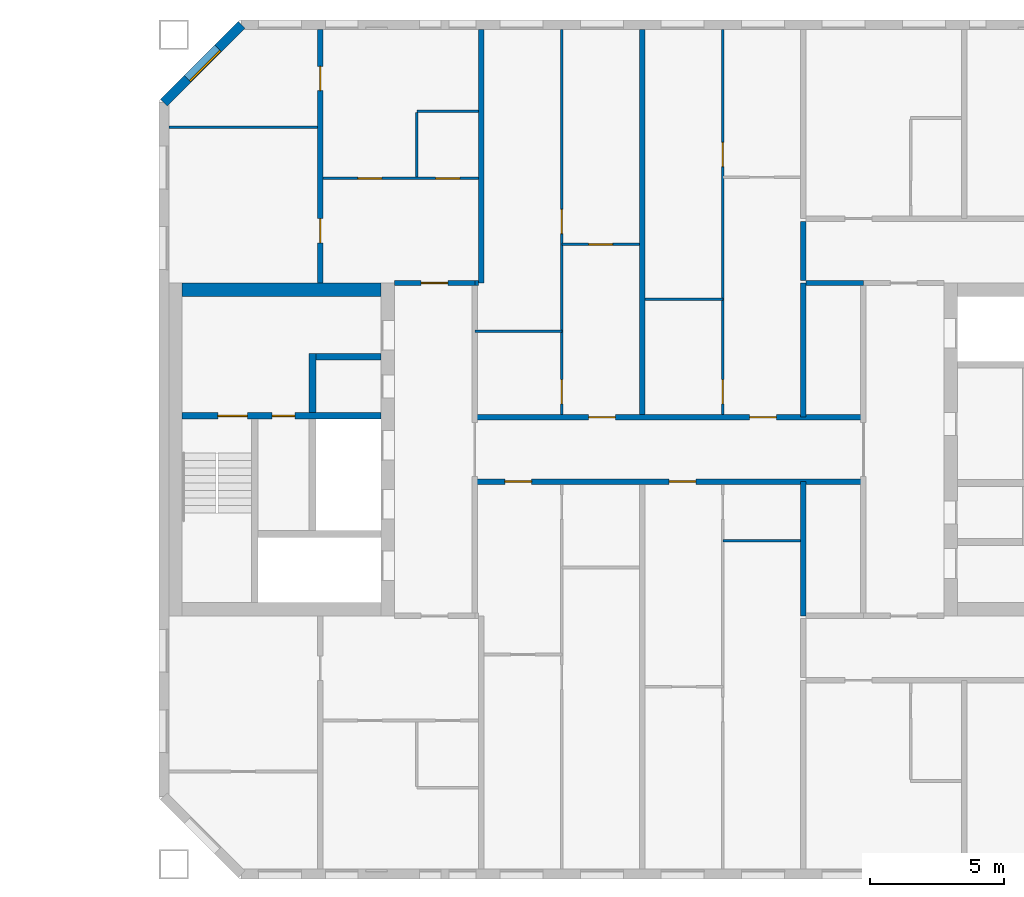
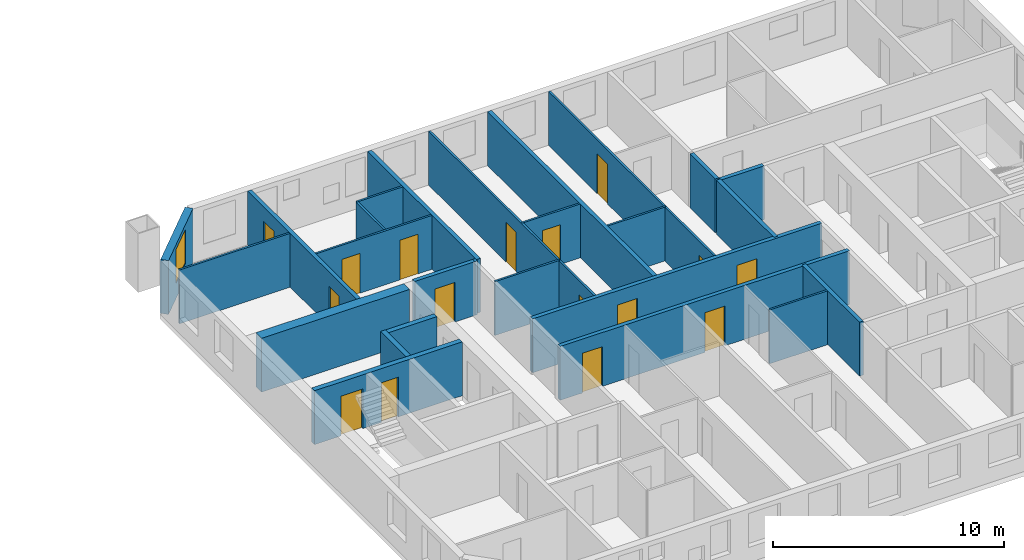
# One storey, part 10 of 15: 26 walls, 16 doors, 1 window, 17 openings.
"""IFC4 building model written with IfcOpenShell, lengths in metres."""

from ifc_helpers import new_model, si_unit, direction, frame, frame_2d, origin, place, context, subcontext, project, spatial, rectangle, extrude, material, layer, layer_set, type_object, element, fill, save


model = new_model("IFC4")

# Units and contexts
model_context = context("Model", 3, precision=1e-05, world=origin(), true_north=direction((0.0, 1.0)))
body_context = subcontext(model_context, "Body", "Model", "MODEL_VIEW")
ifc_project = project(units=[si_unit("LENGTHUNIT", "METRE"), si_unit("AREAUNIT", "SQUARE_METRE"), si_unit("VOLUMEUNIT", "CUBIC_METRE"), si_unit("PLANEANGLEUNIT", "RADIAN"), si_unit("MASSUNIT", "GRAM", prefix="KILO")], contexts=[model_context])

# Site, building, storey
site_placement = place(None, origin())
site = spatial("IfcSite", under=ifc_project, at=site_placement, CompositionType="ELEMENT")
building_placement = place(site_placement, origin())
building = spatial("IfcBuilding", under=site, at=building_placement, Name="Tuart Gate Housing", CompositionType="ELEMENT")
storey_placement = place(building_placement, frame((0.0, 0.0, 154.699951171875)))
storey = spatial("IfcBuildingStorey", under=building, at=storey_placement, Name="L43", CompositionType="ELEMENT", Elevation=154.699951171875)

# Wall, opening, window
ifc_material_1 = material(Name="Brick", Category="masonry")
ifc_layer_1 = layer(ifc_material_1, 0.360107421875)
ifc_layer_set_1 = layer_set([ifc_layer_1], Name="Brick pier and spandrel wall 360")
wall_type_1 = type_object("IfcWallType", Name="Brick pier and spandrel wall 360", PredefinedType="STANDARD", material=ifc_layer_set_1)
wall_1_placement = place(storey_placement, frame((134.07470703125, 85.820068359375, 0.0), z_axis=(0.0, 0.0, 1.0), x_axis=(-0.707106781187, -0.707106781187, 0.0)))
wall_1 = element("IfcWall", 1, at=wall_1_placement, inside=storey, type_object=wall_type_1, Name="External wall B-NW L43", PredefinedType="STANDARD", context=body_context, shape_type="SweptSolid", body=[
    extrude(rectangle(XDim=4.09375, YDim=0.360107421875, at=frame_2d((2.046875, 0.0))), origin(), (0.0, 0.0, 1.0), 2.85009765625),
])
opening_1_placement = place(wall_1_placement, frame((1.2470703125, 0.0, 0.800048828125)))
opening_1 = element("IfcOpeningElement", 2, at=opening_1_placement, cuts=wall_1, Name="Opening W1", PredefinedType="OPENING", context=body_context, shape_type="SweptSolid", body=[
    extrude(rectangle(XDim=1.60009765625, YDim=1.800048828125, at=frame_2d((0.800048828125, 0.89990234375))), frame((0.0, 0.18994140625, 0.0), z_axis=(0.0, -1.0, 0.0), x_axis=(1.0, 0.0, 0.0)), (0.0, 0.0, 1.0), 0.380126953125),
])
ifc_material_2 = material(Name="Aluminium frame with clear glass", Category="aluminium")
window_type = type_object("IfcWindowType", Name="Punched window 1600 x 1800", PartitioningType="SINGLE_PANEL", PredefinedType="WINDOW", material=ifc_material_2)
window_placement = place(opening_1_placement, origin())
window = element("IfcWindow", 3, at=window_placement, inside=storey, type_object=window_type, Name="Window W1", OverallHeight=1.800048828125, OverallWidth=1.60009765625, PartitioningType="SINGLE_PANEL", PredefinedType="WINDOW", context=body_context, shape_type="SweptSolid", body=[
    extrude(rectangle(XDim=1.60009765625, YDim=1.800048828125, at=frame_2d((0.800048828125, 0.89990234375))), frame((0.0, 0.150146484375, 0.0), z_axis=(0.0, -1.0, 0.0), x_axis=(1.0, 0.0, 0.0)), (0.0, 0.0, 1.0), 0.06005859375),
])
fill(opening_1, window)

# Wall, openings, doors
ifc_material_3 = material(Name="Concrete C40", Category="concrete")
ifc_layer_2 = layer(ifc_material_3, 0.25)
ifc_layer_set_2 = layer_set([ifc_layer_2], Name="Core wall 250 C40")
wall_type_2 = type_object("IfcWallType", Name="Core wall 250 C40", PredefinedType="SHEAR", material=ifc_layer_set_2)
wall_2_placement = place(storey_placement, frame((139.260009765625, 71.25, 0.0), z_axis=(0.0, 0.0, 1.0), x_axis=(-1.0, 0.0, 0.0)))
wall_2 = element("IfcWall", 4, at=wall_2_placement, inside=storey, type_object=wall_type_2, Name="Core wall BG.2", PredefinedType="SHEAR", context=body_context, shape_type="SweptSolid", body=[
    extrude(rectangle(XDim=7.39990234375, YDim=0.25, at=frame_2d((3.699951171875, 0.0))), origin(), (0.0, 0.0, 1.0), 2.85009765625),
])
opening_2_placement = place(wall_2_placement, frame((4.97509765625, 0.0, 0.0)))
opening_2 = element("IfcOpeningElement", 5, at=opening_2_placement, cuts=wall_2, Name="Opening D1591", PredefinedType="OPENING", context=body_context, shape_type="SweptSolid", body=[
    extrude(rectangle(XDim=1.10009765625, YDim=2.10009765625, at=frame_2d((0.550048828125, 1.050048828125))), frame((0.0, 0.135009765625, 0.0), z_axis=(0.0, -1.0, 0.0), x_axis=(1.0, 0.0, 0.0)), (0.0, 0.0, 1.0), 0.27001953125),
])
opening_3_placement = place(wall_2_placement, frame((3.199951171875, 0.0, 0.0)))
opening_3 = element("IfcOpeningElement", 6, at=opening_3_placement, cuts=wall_2, Name="Opening D1590", PredefinedType="OPENING", context=body_context, shape_type="SweptSolid", body=[
    extrude(rectangle(XDim=0.85009765625, YDim=2.10009765625, at=frame_2d((0.425048828125, 1.050048828125))), frame((0.0, 0.135009765625, 0.0), z_axis=(0.0, -1.0, 0.0), x_axis=(1.0, 0.0, 0.0)), (0.0, 0.0, 1.0), 0.27001953125),
])
ifc_material_4 = material(Name="Steel fire door", Category="steel")
door_type_1 = type_object("IfcDoorType", Name="Riser door 850 x 2100", OperationType="SINGLE_SWING_LEFT", PredefinedType="DOOR", material=ifc_material_4)
door_1_placement = place(opening_3_placement, origin())
door_1 = element("IfcDoor", 7, at=door_1_placement, inside=storey, type_object=door_type_1, Name="Service room door BG.W1", OperationType="SINGLE_SWING_LEFT", OverallHeight=2.10009765625, OverallWidth=0.85009765625, PredefinedType="DOOR", context=body_context, shape_type="SweptSolid", body=[
    extrude(rectangle(XDim=0.85009765625, YDim=2.10009765625, at=frame_2d((0.425048828125, 1.050048828125))), frame((0.0, 0.02490234375, 0.0), z_axis=(0.0, -1.0, 0.0), x_axis=(1.0, 0.0, 0.0)), (0.0, 0.0, 1.0), 0.050048828125),
])
fill(opening_3, door_1)
ifc_material_5 = material(Name="Steel fire door", Category="steel")
door_type_2 = type_object("IfcDoorType", Name="Stair door 1100 x 2100", OperationType="SINGLE_SWING_LEFT", PredefinedType="DOOR", material=ifc_material_5)
door_2_placement = place(opening_2_placement, origin())
door_2 = element("IfcDoor", 8, at=door_2_placement, inside=storey, type_object=door_type_2, Name="Stair door BG.SD", OperationType="SINGLE_SWING_LEFT", OverallHeight=2.10009765625, OverallWidth=1.10009765625, PredefinedType="DOOR", context=body_context, shape_type="SweptSolid", body=[
    extrude(rectangle(XDim=1.10009765625, YDim=2.10009765625, at=frame_2d((0.550048828125, 1.050048828125))), frame((0.0, 0.02490234375, 0.0), z_axis=(0.0, -1.0, 0.0), x_axis=(1.0, 0.0, 0.0)), (0.0, 0.0, 1.0), 0.050048828125),
])
fill(opening_2, door_2)

# Walls
wall_3_placement = place(storey_placement, frame((139.260009765625, 73.449951171875, 0.0), z_axis=(0.0, 0.0, 1.0), x_axis=(-1.0, 0.0, 0.0)))
element("IfcWall", 9, at=wall_3_placement, inside=storey, type_object=wall_type_2, Name="Core wall BG.3", PredefinedType="SHEAR", context=body_context, shape_type="SweptSolid", body=[
    extrude(rectangle(XDim=2.425048828125, YDim=0.25, at=frame_2d((1.21240234375, 0.0))), origin(), (0.0, 0.0, 1.0), 2.85009765625),
])
wall_4_placement = place(storey_placement, frame((136.7099609375, 71.375, 0.0), z_axis=(0.0, 0.0, 1.0), x_axis=(0.0, 1.0, 0.0)))
element("IfcWall", 10, at=wall_4_placement, inside=storey, type_object=wall_type_2, Name="Core wall BG.5", PredefinedType="SHEAR", context=body_context, shape_type="SweptSolid", body=[
    extrude(rectangle(XDim=2.199951171875, YDim=0.25, at=frame_2d((1.10009765625, 0.0))), origin(), (0.0, 0.0, 1.0), 2.85009765625),
])
ifc_material_6 = material(Name="Concrete C40", Category="concrete")
ifc_layer_3 = layer(ifc_material_6, 0.5)
ifc_layer_set_3 = layer_set([ifc_layer_3], Name="Core wall 500 C40")
wall_type_3 = type_object("IfcWallType", Name="Core wall 500 C40", PredefinedType="SHEAR", material=ifc_layer_set_3)
wall_5_placement = place(storey_placement, frame((139.260009765625, 75.949951171875, 0.0), z_axis=(0.0, 0.0, 1.0), x_axis=(-1.0, 0.0, 0.0)))
element("IfcWall", 11, at=wall_5_placement, inside=storey, type_object=wall_type_3, Name="Core wall BG north", PredefinedType="SHEAR", context=body_context, shape_type="SweptSolid", body=[
    extrude(rectangle(XDim=7.39990234375, YDim=0.5, at=frame_2d((3.699951171875, 0.0))), origin(), (0.0, 0.0, 1.0), 2.85009765625),
])

# Wall, openings, doors
ifc_material_7 = material(Name="Concrete masonry 15 MPa", Category="masonry")
ifc_layer_4 = layer(ifc_material_7, 0.199951171875)
ifc_layer_set_4 = layer_set([ifc_layer_4], Name="Corridor wall masonry 200")
wall_type_4 = type_object("IfcWallType", Name="Corridor wall masonry 200", PredefinedType="PARTITIONING", material=ifc_layer_set_4)
wall_6_placement = place(storey_placement, frame((142.760009765625, 68.800048828125, 0.0), z_axis=(0.0, 0.0, 1.0), x_axis=(1.0, 0.0, 0.0)))
wall_6 = element("IfcWall", 12, at=wall_6_placement, inside=storey, type_object=wall_type_4, Name="Corridor wall masonry 200", PredefinedType="PARTITIONING", context=body_context, shape_type="SweptSolid", body=[
    extrude(rectangle(XDim=14.47998046875, YDim=0.199951171875, at=frame_2d((7.239990234375, 0.0))), origin(), (0.0, 0.0, 1.0), 2.85009765625),
])
opening_4_placement = place(wall_6_placement, frame((1.1201171875, 0.0, 0.0)))
opening_4 = element("IfcOpeningElement", 13, at=opening_4_placement, cuts=wall_6, Name="Opening D1601", PredefinedType="OPENING", context=body_context, shape_type="SweptSolid", body=[
    extrude(rectangle(XDim=1.0, YDim=2.10009765625, at=frame_2d((0.5, 1.050048828125))), frame((0.0, 0.10986328125, 0.0), z_axis=(0.0, -1.0, 0.0), x_axis=(1.0, 0.0, 0.0)), (0.0, 0.0, 1.0), 0.219970703125),
])
opening_5_placement = place(wall_6_placement, frame((7.239990234375, 0.0, 0.0)))
opening_5 = element("IfcOpeningElement", 14, at=opening_5_placement, cuts=wall_6, Name="Opening D1602", PredefinedType="OPENING", context=body_context, shape_type="SweptSolid", body=[
    extrude(rectangle(XDim=1.0, YDim=2.10009765625, at=frame_2d((0.5, 1.050048828125))), frame((0.0, 0.10986328125, 0.0), z_axis=(0.0, -1.0, 0.0), x_axis=(1.0, 0.0, 0.0)), (0.0, 0.0, 1.0), 0.219970703125),
])
ifc_material_8 = material(Name="Timber door leaf in steel frame", Category="steel")
door_type_3 = type_object("IfcDoorType", Name="Flat entrance door 1000 RH", OperationType="SINGLE_SWING_RIGHT", PredefinedType="DOOR", material=ifc_material_8)
door_3_placement = place(opening_4_placement, frame((1.0, 0.0, 0.0), z_axis=(0.0, 0.0, 1.0), x_axis=(-1.0, 0.0, 0.0)))
door_3 = element("IfcDoor", 15, at=door_3_placement, inside=storey, type_object=door_type_3, Name="Flat entrance door", OperationType="SINGLE_SWING_RIGHT", OverallHeight=2.10009765625, OverallWidth=1.0, PredefinedType="DOOR", context=body_context, shape_type="SweptSolid", body=[
    extrude(rectangle(XDim=1.0, YDim=2.10009765625, at=frame_2d((0.5, 1.050048828125))), frame((0.0, 0.025146484375, 0.0), z_axis=(0.0, -1.0, 0.0), x_axis=(1.0, 0.0, 0.0)), (0.0, 0.0, 1.0), 0.050048828125),
])
fill(opening_4, door_3)
door_4_placement = place(opening_5_placement, frame((1.0, 0.0, 0.0), z_axis=(0.0, 0.0, 1.0), x_axis=(-1.0, 0.0, 0.0)))
door_4 = element("IfcDoor", 16, at=door_4_placement, inside=storey, type_object=door_type_3, Name="Flat entrance door", OperationType="SINGLE_SWING_RIGHT", OverallHeight=2.10009765625, OverallWidth=1.0, PredefinedType="DOOR", context=body_context, shape_type="SweptSolid", body=[
    extrude(rectangle(XDim=1.0, YDim=2.10009765625, at=frame_2d((0.5, 1.050048828125))), frame((0.0, 0.025146484375, 0.0), z_axis=(0.0, -1.0, 0.0), x_axis=(1.0, 0.0, 0.0)), (0.0, 0.0, 1.0), 0.050048828125),
])
fill(opening_5, door_4)

wall_7_placement = place(storey_placement, frame((142.760009765625, 71.199951171875, 0.0), z_axis=(0.0, 0.0, 1.0), x_axis=(1.0, 0.0, 0.0)))
wall_7 = element("IfcWall", 17, at=wall_7_placement, inside=storey, type_object=wall_type_4, Name="Corridor wall masonry 200", PredefinedType="PARTITIONING", context=body_context, shape_type="SweptSolid", body=[
    extrude(rectangle(XDim=14.47998046875, YDim=0.199951171875, at=frame_2d((7.239990234375, 0.0))), origin(), (0.0, 0.0, 1.0), 2.85009765625),
])
opening_6_placement = place(wall_7_placement, frame((4.239990234375, 0.0, 0.0)))
opening_6 = element("IfcOpeningElement", 18, at=opening_6_placement, cuts=wall_7, Name="Opening D1592", PredefinedType="OPENING", context=body_context, shape_type="SweptSolid", body=[
    extrude(rectangle(XDim=1.0, YDim=2.10009765625, at=frame_2d((0.5, 1.050048828125))), frame((0.0, 0.10986328125, 0.0), z_axis=(0.0, -1.0, 0.0), x_axis=(1.0, 0.0, 0.0)), (0.0, 0.0, 1.0), 0.219970703125),
])
opening_7_placement = place(wall_7_placement, frame((10.239990234375, 0.0, 0.0)))
opening_7 = element("IfcOpeningElement", 19, at=opening_7_placement, cuts=wall_7, Name="Opening D1593", PredefinedType="OPENING", context=body_context, shape_type="SweptSolid", body=[
    extrude(rectangle(XDim=1.0, YDim=2.10009765625, at=frame_2d((0.5, 1.050048828125))), frame((0.0, 0.10986328125, 0.0), z_axis=(0.0, -1.0, 0.0), x_axis=(1.0, 0.0, 0.0)), (0.0, 0.0, 1.0), 0.219970703125),
])
ifc_material_9 = material(Name="Timber door leaf in steel frame", Category="steel")
door_type_4 = type_object("IfcDoorType", Name="Flat entrance door 1000", OperationType="SINGLE_SWING_LEFT", PredefinedType="DOOR", material=ifc_material_9)
door_5_placement = place(opening_6_placement, origin())
door_5 = element("IfcDoor", 20, at=door_5_placement, inside=storey, type_object=door_type_4, Name="Flat entrance door", OperationType="SINGLE_SWING_LEFT", OverallHeight=2.10009765625, OverallWidth=1.0, PredefinedType="DOOR", context=body_context, shape_type="SweptSolid", body=[
    extrude(rectangle(XDim=1.0, YDim=2.10009765625, at=frame_2d((0.5, 1.050048828125))), frame((0.0, 0.02490234375, 0.0), z_axis=(0.0, -1.0, 0.0), x_axis=(1.0, 0.0, 0.0)), (0.0, 0.0, 1.0), 0.050048828125),
])
fill(opening_6, door_5)
door_6_placement = place(opening_7_placement, origin())
door_6 = element("IfcDoor", 21, at=door_6_placement, inside=storey, type_object=door_type_4, Name="Flat entrance door", OperationType="SINGLE_SWING_LEFT", OverallHeight=2.10009765625, OverallWidth=1.0, PredefinedType="DOOR", context=body_context, shape_type="SweptSolid", body=[
    extrude(rectangle(XDim=1.0, YDim=2.10009765625, at=frame_2d((0.5, 1.050048828125))), frame((0.0, 0.02490234375, 0.0), z_axis=(0.0, -1.0, 0.0), x_axis=(1.0, 0.0, 0.0)), (0.0, 0.0, 1.0), 0.050048828125),
])
fill(opening_7, door_6)

# Walls
wall_8_placement = place(storey_placement, frame((155.10009765625, 76.199951171875, 0.0), z_axis=(0.0, 0.0, 1.0), x_axis=(1.0, 0.0, 0.0)))
element("IfcWall", 22, at=wall_8_placement, inside=storey, type_object=wall_type_4, Name="Corridor wall masonry 200", PredefinedType="PARTITIONING", context=body_context, shape_type="SweptSolid", body=[
    extrude(rectangle(XDim=2.139892578125, YDim=0.199951171875, at=frame_2d((1.06982421875, 0.0))), origin(), (0.0, 0.0, 1.0), 2.85009765625),
])
wall_9_placement = place(storey_placement, frame((155.0, 76.300048828125, 0.0), z_axis=(0.0, 0.0, 1.0), x_axis=(0.0, 1.0, 0.0)))
element("IfcWall", 23, at=wall_9_placement, inside=storey, type_object=wall_type_4, Name="Corridor wall masonry 200", PredefinedType="PARTITIONING", context=body_context, shape_type="SweptSolid", body=[
    extrude(rectangle(XDim=2.199951171875, YDim=0.199951171875, at=frame_2d((1.10009765625, 0.0))), origin(), (0.0, 0.0, 1.0), 2.85009765625),
])

# Wall, opening, door
ifc_material_10 = material(Name="Concrete masonry 15 MPa", Category="masonry")
ifc_layer_5 = layer(ifc_material_10, 0.199951171875)
ifc_layer_set_5 = layer_set([ifc_layer_5], Name="Enclosure wall masonry 200")
wall_type_5 = type_object("IfcWallType", Name="Enclosure wall masonry 200", PredefinedType="PARTITIONING", material=ifc_layer_set_5)
wall_10_placement = place(storey_placement, frame((139.760009765625, 76.199951171875, 0.0), z_axis=(0.0, 0.0, 1.0), x_axis=(1.0, 0.0, 0.0)))
wall_10 = element("IfcWall", 24, at=wall_10_placement, inside=storey, type_object=wall_type_5, Name="Enclosure wall masonry 200", PredefinedType="PARTITIONING", context=body_context, shape_type="SweptSolid", body=[
    extrude(rectangle(XDim=3.0, YDim=0.199951171875, at=frame_2d((1.5, 0.0))), origin(), (0.0, 0.0, 1.0), 2.85009765625),
])
opening_8_placement = place(wall_10_placement, frame((1.0, 0.0, 0.0)))
opening_8 = element("IfcOpeningElement", 25, at=opening_8_placement, cuts=wall_10, Name="Opening D1588", PredefinedType="OPENING", context=body_context, shape_type="SweptSolid", body=[
    extrude(rectangle(XDim=1.0, YDim=2.10009765625, at=frame_2d((0.5, 1.050048828125))), frame((0.0, 0.10986328125, 0.0), z_axis=(0.0, -1.0, 0.0), x_axis=(1.0, 0.0, 0.0)), (0.0, 0.0, 1.0), 0.219970703125),
])
door_7_placement = place(opening_8_placement, origin())
door_7 = element("IfcDoor", 26, at=door_7_placement, inside=storey, type_object=door_type_3, Name="Flat entrance door", OperationType="SINGLE_SWING_RIGHT", OverallHeight=2.10009765625, OverallWidth=1.0, PredefinedType="DOOR", context=body_context, shape_type="SweptSolid", body=[
    extrude(rectangle(XDim=1.0, YDim=2.10009765625, at=frame_2d((0.5, 1.050048828125))), frame((0.0, 0.02490234375, 0.0), z_axis=(0.0, -1.0, 0.0), x_axis=(1.0, 0.0, 0.0)), (0.0, 0.0, 1.0), 0.050048828125),
])
fill(opening_8, door_7)

# Walls
ifc_material_11 = material(Name="Gypsum board on steel studs", Category="steel")
ifc_layer_6 = layer(ifc_material_11, 0.10009765625)
ifc_layer_set_6 = layer_set([ifc_layer_6], Name="Partition 100")
wall_type_6 = type_object("IfcWallType", Name="Partition 100", PredefinedType="PARTITIONING", material=ifc_layer_set_6)
wall_11_placement = place(storey_placement, frame((152.0, 66.60009765625, 0.0), z_axis=(0.0, 0.0, 1.0), x_axis=(1.0, 0.0, 0.0)))
element("IfcWall", 27, at=wall_11_placement, inside=storey, type_object=wall_type_6, Name="Partition 100", PredefinedType="PARTITIONING", context=body_context, shape_type="SweptSolid", body=[
    extrude(rectangle(XDim=2.89990234375, YDim=0.10009765625, at=frame_2d((1.449951171875, 0.0))), origin(), (0.0, 0.0, 1.0), 2.85009765625),
])
wall_12_placement = place(storey_placement, frame((142.760009765625, 74.39990234375, 0.0), z_axis=(0.0, 0.0, 1.0), x_axis=(1.0, 0.0, 0.0)))
element("IfcWall", 28, at=wall_12_placement, inside=storey, type_object=wall_type_6, Name="Partition 100", PredefinedType="PARTITIONING", context=body_context, shape_type="SweptSolid", body=[
    extrude(rectangle(XDim=3.239990234375, YDim=0.10009765625, at=frame_2d((1.6201171875, 0.0))), origin(), (0.0, 0.0, 1.0), 2.85009765625),
])
wall_13_placement = place(storey_placement, frame((149.10009765625, 75.60009765625, 0.0), z_axis=(0.0, 0.0, 1.0), x_axis=(1.0, 0.0, 0.0)))
element("IfcWall", 29, at=wall_13_placement, inside=storey, type_object=wall_type_6, Name="Partition 100", PredefinedType="PARTITIONING", context=body_context, shape_type="SweptSolid", body=[
    extrude(rectangle(XDim=2.89990234375, YDim=0.10009765625, at=frame_2d((1.449951171875, 0.0))), origin(), (0.0, 0.0, 1.0), 2.85009765625),
])

# Wall, opening, door
wall_14_placement = place(storey_placement, frame((146.0, 77.639892578125, 0.0), z_axis=(0.0, 0.0, 1.0), x_axis=(1.0, 0.0, 0.0)))
wall_14 = element("IfcWall", 30, at=wall_14_placement, inside=storey, type_object=wall_type_6, Name="Partition 100", PredefinedType="PARTITIONING", context=body_context, shape_type="SweptSolid", body=[
    extrude(rectangle(XDim=2.89990234375, YDim=0.10009765625, at=frame_2d((1.449951171875, 0.0))), origin(), (0.0, 0.0, 1.0), 2.85009765625),
])
opening_9_placement = place(wall_14_placement, frame((1.0, 0.0, 0.0)))
opening_9 = element("IfcOpeningElement", 31, at=opening_9_placement, cuts=wall_14, Name="Opening D1587", PredefinedType="OPENING", context=body_context, shape_type="SweptSolid", body=[
    extrude(rectangle(XDim=0.89990234375, YDim=2.10009765625, at=frame_2d((0.449951171875, 1.050048828125))), frame((0.0, 0.06005859375, 0.0), z_axis=(0.0, -1.0, 0.0), x_axis=(1.0, 0.0, 0.0)), (0.0, 0.0, 1.0), 0.1201171875),
])
ifc_material_12 = material(Name="Timber door leaf in steel frame", Category="steel")
door_type_5 = type_object("IfcDoorType", Name="Internal door 900 RH", OperationType="SINGLE_SWING_RIGHT", PredefinedType="DOOR", material=ifc_material_12)
door_8_placement = place(opening_9_placement, frame((0.89990234375, 0.0, 0.0), z_axis=(0.0, 0.0, 1.0), x_axis=(-1.0, 0.0, 0.0)))
door_8 = element("IfcDoor", 32, at=door_8_placement, inside=storey, type_object=door_type_5, Name="Internal door", OperationType="SINGLE_SWING_RIGHT", OverallHeight=2.10009765625, OverallWidth=0.89990234375, PredefinedType="DOOR", context=body_context, shape_type="SweptSolid", body=[
    extrude(rectangle(XDim=0.89990234375, YDim=2.10009765625, at=frame_2d((0.449951171875, 1.050048828125))), frame((0.0, 0.025146484375, 0.0), z_axis=(0.0, -1.0, 0.0), x_axis=(1.0, 0.0, 0.0)), (0.0, 0.0, 1.0), 0.050048828125),
])
fill(opening_9, door_8)

# Wall, openings, doors
wall_15_placement = place(storey_placement, frame((137.10009765625, 80.10009765625, 0.0), z_axis=(0.0, 0.0, 1.0), x_axis=(1.0, 0.0, 0.0)))
wall_15 = element("IfcWall", 33, at=wall_15_placement, inside=storey, type_object=wall_type_6, Name="Partition 100", PredefinedType="PARTITIONING", context=body_context, shape_type="SweptSolid", body=[
    extrude(rectangle(XDim=5.7998046875, YDim=0.10009765625, at=frame_2d((2.89990234375, 0.0))), origin(), (0.0, 0.0, 1.0), 2.85009765625),
])
opening_10_placement = place(wall_15_placement, frame((1.300048828125, 0.0, 0.0)))
opening_10 = element("IfcOpeningElement", 34, at=opening_10_placement, cuts=wall_15, Name="Opening D1580", PredefinedType="OPENING", context=body_context, shape_type="SweptSolid", body=[
    extrude(rectangle(XDim=0.89990234375, YDim=2.10009765625, at=frame_2d((0.449951171875, 1.050048828125))), frame((0.0, 0.06005859375, 0.0), z_axis=(0.0, -1.0, 0.0), x_axis=(1.0, 0.0, 0.0)), (0.0, 0.0, 1.0), 0.1201171875),
])
opening_11_placement = place(wall_15_placement, frame((4.199951171875, 0.0, 0.0)))
opening_11 = element("IfcOpeningElement", 35, at=opening_11_placement, cuts=wall_15, Name="Opening D1579", PredefinedType="OPENING", context=body_context, shape_type="SweptSolid", body=[
    extrude(rectangle(XDim=0.89990234375, YDim=2.10009765625, at=frame_2d((0.449951171875, 1.050048828125))), frame((0.0, 0.06005859375, 0.0), z_axis=(0.0, -1.0, 0.0), x_axis=(1.0, 0.0, 0.0)), (0.0, 0.0, 1.0), 0.1201171875),
])
ifc_material_13 = material(Name="Timber door leaf in steel frame", Category="steel")
door_type_6 = type_object("IfcDoorType", Name="Bathroom door 900", OperationType="SINGLE_SWING_LEFT", PredefinedType="DOOR", material=ifc_material_13)
door_9_placement = place(opening_11_placement, origin())
door_9 = element("IfcDoor", 36, at=door_9_placement, inside=storey, type_object=door_type_6, Name="Bathroom door", OperationType="SINGLE_SWING_LEFT", OverallHeight=2.10009765625, OverallWidth=0.89990234375, PredefinedType="DOOR", context=body_context, shape_type="SweptSolid", body=[
    extrude(rectangle(XDim=0.89990234375, YDim=2.10009765625, at=frame_2d((0.449951171875, 1.050048828125))), frame((0.0, 0.02490234375, 0.0), z_axis=(0.0, -1.0, 0.0), x_axis=(1.0, 0.0, 0.0)), (0.0, 0.0, 1.0), 0.050048828125),
])
fill(opening_11, door_9)
door_10_placement = place(opening_10_placement, frame((0.89990234375, 0.0, 0.0), z_axis=(0.0, 0.0, 1.0), x_axis=(-1.0, 0.0, 0.0)))
door_10 = element("IfcDoor", 37, at=door_10_placement, inside=storey, type_object=door_type_5, Name="Internal door", OperationType="SINGLE_SWING_RIGHT", OverallHeight=2.10009765625, OverallWidth=0.89990234375, PredefinedType="DOOR", context=body_context, shape_type="SweptSolid", body=[
    extrude(rectangle(XDim=0.89990234375, YDim=2.10009765625, at=frame_2d((0.449951171875, 1.050048828125))), frame((0.0, 0.025146484375, 0.0), z_axis=(0.0, -1.0, 0.0), x_axis=(1.0, 0.0, 0.0)), (0.0, 0.0, 1.0), 0.050048828125),
])
fill(opening_10, door_10)

# Walls
wall_16_placement = place(storey_placement, frame((131.360107421875, 82.0, 0.0), z_axis=(0.0, 0.0, 1.0), x_axis=(1.0, 0.0, 0.0)))
element("IfcWall", 38, at=wall_16_placement, inside=storey, type_object=wall_type_6, Name="Partition 100", PredefinedType="PARTITIONING", context=body_context, shape_type="SweptSolid", body=[
    extrude(rectangle(XDim=5.539794921875, YDim=0.10009765625, at=frame_2d((2.77001953125, 0.0))), origin(), (0.0, 0.0, 1.0), 2.85009765625),
])
wall_17_placement = place(storey_placement, frame((140.60009765625, 82.60009765625, 0.0), z_axis=(0.0, 0.0, 1.0), x_axis=(1.0, 0.0, 0.0)))
element("IfcWall", 39, at=wall_17_placement, inside=storey, type_object=wall_type_6, Name="Partition 100", PredefinedType="PARTITIONING", context=body_context, shape_type="SweptSolid", body=[
    extrude(rectangle(XDim=2.2998046875, YDim=0.10009765625, at=frame_2d((1.14990234375, 0.0))), origin(), (0.0, 0.0, 1.0), 2.85009765625),
])
wall_18_placement = place(storey_placement, frame((140.60009765625, 80.14990234375, 0.0), z_axis=(0.0, 0.0, 1.0), x_axis=(0.0, 1.0, 0.0)))
element("IfcWall", 40, at=wall_18_placement, inside=storey, type_object=wall_type_6, Name="Partition 100", PredefinedType="PARTITIONING", context=body_context, shape_type="SweptSolid", body=[
    extrude(rectangle(XDim=2.400146484375, YDim=0.10009765625, at=frame_2d((1.2001953125, 0.0))), origin(), (0.0, 0.0, 1.0), 2.85009765625),
])

# Wall, openings, doors
wall_19_placement = place(storey_placement, frame((146.0, 71.300048828125, 0.0), z_axis=(0.0, 0.0, 1.0), x_axis=(0.0, 1.0, 0.0)))
wall_19 = element("IfcWall", 41, at=wall_19_placement, inside=storey, type_object=wall_type_6, Name="Partition 100", PredefinedType="PARTITIONING", context=body_context, shape_type="SweptSolid", body=[
    extrude(rectangle(XDim=14.33984375, YDim=0.10009765625, at=frame_2d((7.169921875, 0.0))), origin(), (0.0, 0.0, 1.0), 2.85009765625),
])
opening_12_placement = place(wall_19_placement, frame((6.739990234375, 0.0, 0.0)))
opening_12 = element("IfcOpeningElement", 42, at=opening_12_placement, cuts=wall_19, Name="Opening D1584", PredefinedType="OPENING", context=body_context, shape_type="SweptSolid", body=[
    extrude(rectangle(XDim=0.89990234375, YDim=2.10009765625, at=frame_2d((0.449951171875, 1.050048828125))), frame((0.0, 0.06005859375, 0.0), z_axis=(0.0, -1.0, 0.0), x_axis=(1.0, 0.0, 0.0)), (0.0, 0.0, 1.0), 0.1201171875),
])
opening_13_placement = place(wall_19_placement, frame((0.39990234375, 0.0, 0.0)))
opening_13 = element("IfcOpeningElement", 43, at=opening_13_placement, cuts=wall_19, Name="Opening D1583", PredefinedType="OPENING", context=body_context, shape_type="SweptSolid", body=[
    extrude(rectangle(XDim=0.89990234375, YDim=2.10009765625, at=frame_2d((0.449951171875, 1.050048828125))), frame((0.0, 0.06005859375, 0.0), z_axis=(0.0, -1.0, 0.0), x_axis=(1.0, 0.0, 0.0)), (0.0, 0.0, 1.0), 0.1201171875),
])
door_11_placement = place(opening_13_placement, origin())
door_11 = element("IfcDoor", 44, at=door_11_placement, inside=storey, type_object=door_type_6, Name="Bathroom door", OperationType="SINGLE_SWING_LEFT", OverallHeight=2.10009765625, OverallWidth=0.89990234375, PredefinedType="DOOR", context=body_context, shape_type="SweptSolid", body=[
    extrude(rectangle(XDim=0.89990234375, YDim=2.10009765625, at=frame_2d((0.449951171875, 1.050048828125))), frame((0.0, 0.02490234375, 0.0), z_axis=(0.0, -1.0, 0.0), x_axis=(1.0, 0.0, 0.0)), (0.0, 0.0, 1.0), 0.050048828125),
])
fill(opening_13, door_11)
ifc_material_14 = material(Name="Timber door leaf in steel frame", Category="steel")
door_type_7 = type_object("IfcDoorType", Name="Internal door 900", OperationType="SINGLE_SWING_LEFT", PredefinedType="DOOR", material=ifc_material_14)
door_12_placement = place(opening_12_placement, origin())
door_12 = element("IfcDoor", 45, at=door_12_placement, inside=storey, type_object=door_type_7, Name="Internal door", OperationType="SINGLE_SWING_LEFT", OverallHeight=2.10009765625, OverallWidth=0.89990234375, PredefinedType="DOOR", context=body_context, shape_type="SweptSolid", body=[
    extrude(rectangle(XDim=0.89990234375, YDim=2.10009765625, at=frame_2d((0.449951171875, 1.050048828125))), frame((0.0, 0.02490234375, 0.0), z_axis=(0.0, -1.0, 0.0), x_axis=(1.0, 0.0, 0.0)), (0.0, 0.0, 1.0), 0.050048828125),
])
fill(opening_12, door_12)

wall_20_placement = place(storey_placement, frame((152.0, 71.300048828125, 0.0), z_axis=(0.0, 0.0, 1.0), x_axis=(0.0, 1.0, 0.0)))
wall_20 = element("IfcWall", 46, at=wall_20_placement, inside=storey, type_object=wall_type_6, Name="Partition 100", PredefinedType="PARTITIONING", context=body_context, shape_type="SweptSolid", body=[
    extrude(rectangle(XDim=14.33984375, YDim=0.10009765625, at=frame_2d((7.169921875, 0.0))), origin(), (0.0, 0.0, 1.0), 2.85009765625),
])
opening_14_placement = place(wall_20_placement, frame((9.239990234375, 0.0, 0.0)))
opening_14 = element("IfcOpeningElement", 47, at=opening_14_placement, cuts=wall_20, Name="Opening D1586", PredefinedType="OPENING", context=body_context, shape_type="SweptSolid", body=[
    extrude(rectangle(XDim=0.89990234375, YDim=2.10009765625, at=frame_2d((0.449951171875, 1.050048828125))), frame((0.0, 0.06005859375, 0.0), z_axis=(0.0, -1.0, 0.0), x_axis=(1.0, 0.0, 0.0)), (0.0, 0.0, 1.0), 0.1201171875),
])
opening_15_placement = place(wall_20_placement, frame((0.39990234375, 0.0, 0.0)))
opening_15 = element("IfcOpeningElement", 48, at=opening_15_placement, cuts=wall_20, Name="Opening D1585", PredefinedType="OPENING", context=body_context, shape_type="SweptSolid", body=[
    extrude(rectangle(XDim=0.89990234375, YDim=2.10009765625, at=frame_2d((0.449951171875, 1.050048828125))), frame((0.0, 0.06005859375, 0.0), z_axis=(0.0, -1.0, 0.0), x_axis=(1.0, 0.0, 0.0)), (0.0, 0.0, 1.0), 0.1201171875),
])
door_13_placement = place(opening_15_placement, origin())
door_13 = element("IfcDoor", 49, at=door_13_placement, inside=storey, type_object=door_type_6, Name="Bathroom door", OperationType="SINGLE_SWING_LEFT", OverallHeight=2.10009765625, OverallWidth=0.89990234375, PredefinedType="DOOR", context=body_context, shape_type="SweptSolid", body=[
    extrude(rectangle(XDim=0.89990234375, YDim=2.10009765625, at=frame_2d((0.449951171875, 1.050048828125))), frame((0.0, 0.02490234375, 0.0), z_axis=(0.0, -1.0, 0.0), x_axis=(1.0, 0.0, 0.0)), (0.0, 0.0, 1.0), 0.050048828125),
])
fill(opening_15, door_13)
door_14_placement = place(opening_14_placement, origin())
door_14 = element("IfcDoor", 50, at=door_14_placement, inside=storey, type_object=door_type_5, Name="Internal door", OperationType="SINGLE_SWING_RIGHT", OverallHeight=2.10009765625, OverallWidth=0.89990234375, PredefinedType="DOOR", context=body_context, shape_type="SweptSolid", body=[
    extrude(rectangle(XDim=0.89990234375, YDim=2.10009765625, at=frame_2d((0.449951171875, 1.050048828125))), frame((0.0, 0.02490234375, 0.0), z_axis=(0.0, -1.0, 0.0), x_axis=(1.0, 0.0, 0.0)), (0.0, 0.0, 1.0), 0.050048828125),
])
fill(opening_14, door_14)

ifc_material_15 = material(Name="Concrete C40", Category="concrete")
ifc_layer_7 = layer(ifc_material_15, 0.199951171875)
ifc_layer_set_7 = layer_set([ifc_layer_7], Name="Party wall concrete C40 200")
wall_type_7 = type_object("IfcWallType", Name="Party wall concrete C40 200", PredefinedType="SOLIDWALL", material=ifc_layer_set_7)
wall_21_placement = place(storey_placement, frame((137.0, 76.199951171875, 0.0), z_axis=(0.0, 0.0, 1.0), x_axis=(0.0, 1.0, 0.0)))
wall_21 = element("IfcWall", 51, at=wall_21_placement, inside=storey, type_object=wall_type_7, Name="Party wall concrete C40 200", PredefinedType="SOLIDWALL", context=body_context, shape_type="SweptSolid", body=[
    extrude(rectangle(XDim=9.43994140625, YDim=0.199951171875, at=frame_2d((4.719970703125, 0.0))), origin(), (0.0, 0.0, 1.0), 2.85009765625),
])
opening_16_placement = place(wall_21_placement, frame((7.169921875, 0.0, 0.0)))
opening_16 = element("IfcOpeningElement", 52, at=opening_16_placement, cuts=wall_21, Name="Opening D1575", PredefinedType="OPENING", context=body_context, shape_type="SweptSolid", body=[
    extrude(rectangle(XDim=0.89990234375, YDim=2.10009765625, at=frame_2d((0.449951171875, 1.050048828125))), frame((0.0, 0.10986328125, 0.0), z_axis=(0.0, -1.0, 0.0), x_axis=(1.0, 0.0, 0.0)), (0.0, 0.0, 1.0), 0.219970703125),
])
opening_17_placement = place(wall_21_placement, frame((1.5, 0.0, 0.0)))
opening_17 = element("IfcOpeningElement", 53, at=opening_17_placement, cuts=wall_21, Name="Opening D1576", PredefinedType="OPENING", context=body_context, shape_type="SweptSolid", body=[
    extrude(rectangle(XDim=0.89990234375, YDim=2.10009765625, at=frame_2d((0.449951171875, 1.050048828125))), frame((0.0, 0.10986328125, 0.0), z_axis=(0.0, -1.0, 0.0), x_axis=(1.0, 0.0, 0.0)), (0.0, 0.0, 1.0), 0.219970703125),
])
door_15_placement = place(opening_16_placement, origin())
door_15 = element("IfcDoor", 54, at=door_15_placement, inside=storey, type_object=door_type_7, Name="Internal door", OperationType="SINGLE_SWING_LEFT", OverallHeight=2.10009765625, OverallWidth=0.89990234375, PredefinedType="DOOR", context=body_context, shape_type="SweptSolid", body=[
    extrude(rectangle(XDim=0.89990234375, YDim=2.10009765625, at=frame_2d((0.449951171875, 1.050048828125))), frame((0.0, 0.02490234375, 0.0), z_axis=(0.0, -1.0, 0.0), x_axis=(1.0, 0.0, 0.0)), (0.0, 0.0, 1.0), 0.050048828125),
])
fill(opening_16, door_15)
door_16_placement = place(opening_17_placement, origin())
door_16 = element("IfcDoor", 55, at=door_16_placement, inside=storey, type_object=door_type_7, Name="Internal door", OperationType="SINGLE_SWING_LEFT", OverallHeight=2.10009765625, OverallWidth=0.89990234375, PredefinedType="DOOR", context=body_context, shape_type="SweptSolid", body=[
    extrude(rectangle(XDim=0.89990234375, YDim=2.10009765625, at=frame_2d((0.449951171875, 1.050048828125))), frame((0.0, 0.02490234375, 0.0), z_axis=(0.0, -1.0, 0.0), x_axis=(1.0, 0.0, 0.0)), (0.0, 0.0, 1.0), 0.050048828125),
])
fill(opening_17, door_16)

# Walls
wall_22_placement = place(storey_placement, frame((143.0, 76.199951171875, 0.0), z_axis=(0.0, 0.0, 1.0), x_axis=(0.0, 1.0, 0.0)))
element("IfcWall", 56, at=wall_22_placement, inside=storey, type_object=wall_type_7, Name="Party wall concrete C40 200", PredefinedType="SOLIDWALL", context=body_context, shape_type="SweptSolid", body=[
    extrude(rectangle(XDim=9.43994140625, YDim=0.199951171875, at=frame_2d((4.719970703125, 0.0))), origin(), (0.0, 0.0, 1.0), 2.85009765625),
])
wall_23_placement = place(storey_placement, frame((149.0, 71.199951171875, 0.0), z_axis=(0.0, 0.0, 1.0), x_axis=(0.0, 1.0, 0.0)))
element("IfcWall", 57, at=wall_23_placement, inside=storey, type_object=wall_type_7, Name="Party wall concrete C40 200", PredefinedType="SOLIDWALL", context=body_context, shape_type="SweptSolid", body=[
    extrude(rectangle(XDim=14.43994140625, YDim=0.199951171875, at=frame_2d((7.219970703125, 0.0))), origin(), (0.0, 0.0, 1.0), 2.85009765625),
])
for number, where, z_axis, x_axis, name in (
    (58, (155.0, 63.800048828125, 0.0), (0.0, 0.0, 1.0), (0.0, 1.0, 0.0), "Party wall concrete C40 200"),
    (59, (155.0, 71.199951171875, 0.0), (0.0, 0.0, 1.0), (0.0, 1.0, 0.0), "Party wall concrete C40 200"),
):
    element("IfcWall", number, at=place(storey_placement, frame(where, z_axis=z_axis, x_axis=x_axis)), inside=storey, type_object=wall_type_7, Name=name, PredefinedType="SOLIDWALL", context=body_context, shape_type="SweptSolid", body=[
        extrude(rectangle(XDim=5.0, YDim=0.199951171875, at=frame_2d((2.5, 0.0))), origin(), (0.0, 0.0, 1.0), 2.85009765625),
    ])
ifc_material_16 = material(Name="Concrete masonry 15 MPa", Category="masonry")
ifc_layer_8 = layer(ifc_material_16, 0.199951171875)
ifc_layer_set_8 = layer_set([ifc_layer_8], Name="Party wall masonry 200")
wall_type_8 = type_object("IfcWallType", Name="Party wall masonry 200", PredefinedType="PARTITIONING", material=ifc_layer_set_8)
wall_24_placement = place(storey_placement, frame((142.760009765625, 76.199951171875, 0.0), z_axis=(0.0, 0.0, 1.0), x_axis=(1.0, 0.0, 0.0)))
element("IfcWall", 60, at=wall_24_placement, inside=storey, type_object=wall_type_8, Name="Party wall masonry 200", PredefinedType="PARTITIONING", context=body_context, shape_type="SweptSolid", body=[
    extrude(rectangle(XDim=0.139892578125, YDim=0.199951171875, at=frame_2d((0.06982421875, 0.0))), origin(), (0.0, 0.0, 1.0), 2.85009765625),
])

save(model, "model.ifc")
